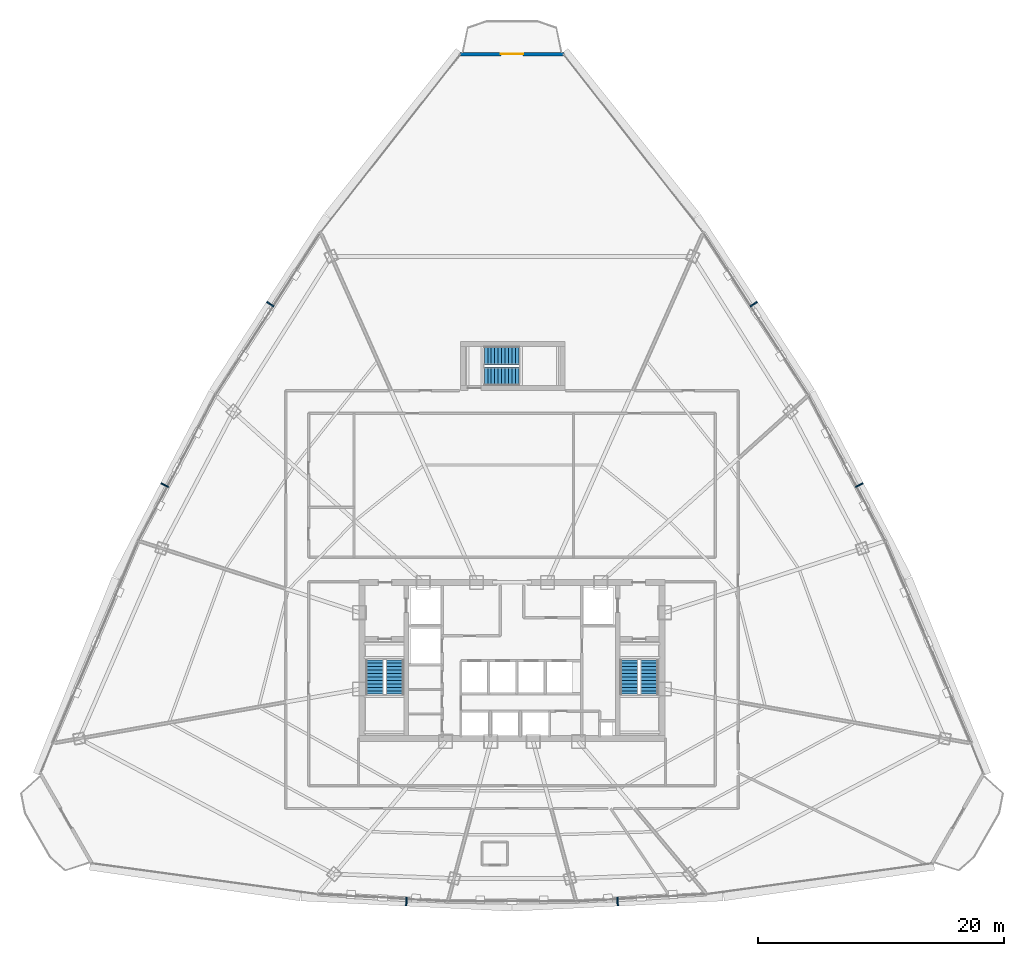
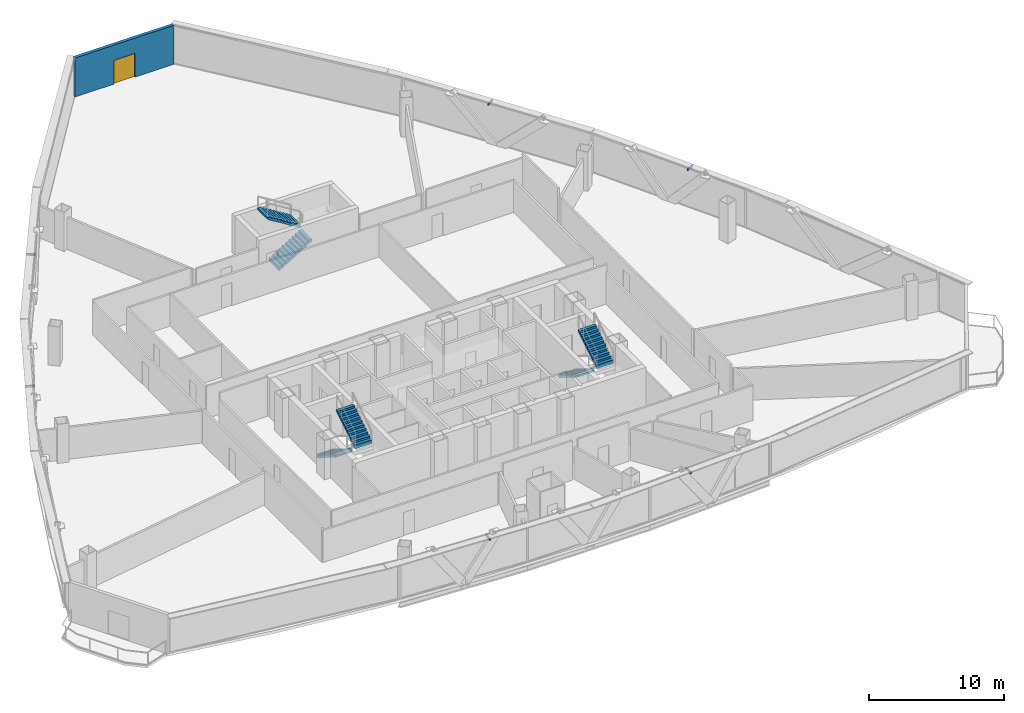
# One storey, part 33 of 37: 6 discrete accessories, 6 stair flights, 1 door, 1 wall, 1 opening, 3 elements without a shape of their own.
"""IFC4 building model written with IfcOpenShell, lengths in metres."""

from ifc_helpers import new_model, si_unit, direction, frame, frame_2d, origin, origin_with_axes, origin_2d, place, context, subcontext, project, spatial, polyline, rectangle, outline, extrude, source, transform, mapped, material, layer, layer_set, type_object, element, fill, aggregate, save


model = new_model("IFC4")

# Units and contexts
model_context = context("Model", 3, precision=1e-05, world=origin(), true_north=direction((0.0, 1.0)))
body_context = subcontext(model_context, "Body", "Model", "MODEL_VIEW")
ifc_project = project(units=[si_unit("LENGTHUNIT", "METRE"), si_unit("AREAUNIT", "SQUARE_METRE"), si_unit("VOLUMEUNIT", "CUBIC_METRE"), si_unit("PLANEANGLEUNIT", "RADIAN"), si_unit("MASSUNIT", "GRAM", prefix="KILO"), si_unit("THERMODYNAMICTEMPERATUREUNIT", "KELVIN"), si_unit("POWERUNIT", "WATT")], contexts=[model_context])

# Site, building, storey
site_placement = place(None, origin())
site = spatial("IfcSite", under=ifc_project, at=site_placement, CompositionType="ELEMENT")
building_placement = place(site_placement, origin())
building = spatial("IfcBuilding", under=site, at=building_placement, Name="Yunzhuo Pagoda Commons", CompositionType="ELEMENT")
storey_placement = place(building_placement, frame((0.0, 0.0, 199.9599609375)))
storey = spatial("IfcBuildingStorey", under=building, at=storey_placement, Name="L50", CompositionType="ELEMENT", Elevation=199.9599609375)

# Wall, opening, door
ifc_material_1 = material(Name="Precast concrete C40", Category="concrete")
ifc_layer = layer(ifc_material_1, 0.260009765625)
ifc_layer_set = layer_set([ifc_layer], Name="Precast concrete C40")
wall_type = type_object("IfcWallType", Name="W-BAL1 Corner Balcony Threshold Wall 260", PredefinedType="STANDARD", material=ifc_layer_set)
wall_placement = place(storey_placement, frame((52.25, 83.16748046875, 0.0), z_axis=(0.0, 0.0, 1.0), x_axis=(-1.0, 0.0, 0.0)))
wall = element("IfcWall", 1, at=wall_placement, inside=storey, type_object=wall_type, Name="L50 corner balcony wall V3", PredefinedType="STANDARD", context=body_context, shape_type="SweptSolid", body=[
    extrude(rectangle(XDim=8.5, YDim=0.260009765625, at=frame_2d((4.25, 0.0))), origin(), (0.0, 0.0, 1.0), 3.5400390625),
])
opening_placement = place(wall_placement, frame((3.35009765625, 0.0, 0.0)))
opening = element("IfcOpeningElement", 2, at=opening_placement, cuts=wall, Name="Opening D-BAL1", PredefinedType="OPENING", context=body_context, shape_type="SweptSolid", body=[
    extrude(rectangle(XDim=1.800048828125, YDim=2.14990234375, at=frame_2d((0.89990234375, 1.074951171875))), frame((0.0, 0.14013671875, 0.0), z_axis=(0.0, -1.0, 0.0), x_axis=(1.0, 0.0, 0.0)), (0.0, 0.0, 1.0), 0.280029296875),
])
ifc_material_2 = material(Name="Anodized aluminium frame and tempered glazed leaf", Category="aluminium")
door_type = type_object("IfcDoorType", Name="D-BAL1 Corner Balcony Sliding Glazed Door 1800x2150", OperationType="DOUBLE_DOOR_SLIDING", PredefinedType="DOOR", material=ifc_material_2)
shared_shape_1 = source(origin(), body_context, "Body", "SweptSolid", [
    extrude(rectangle(XDim=1.800048828125, YDim=2.14990234375, at=frame_2d((0.89990234375, 1.074951171875))), frame((0.0, 0.02490234375, 0.0), z_axis=(0.0, -1.0, 0.0), x_axis=(1.0, 0.0, 0.0)), (0.0, 0.0, 1.0), 0.050048828125),
])
door_placement = place(opening_placement, origin_with_axes())
door = element("IfcDoor", 3, at=door_placement, inside=storey, type_object=door_type, Name="L50 corner balcony sliding door V3", OperationType="DOUBLE_DOOR_SLIDING", OverallHeight=2.14990234375, OverallWidth=1.800048828125, PredefinedType="DOOR", context=body_context, shape_type="MappedRepresentation", body=[
    mapped(shared_shape_1, transform((0.0, 0.0, 0.0), scale=1.0)),
])
fill(opening, door)

# Stair, stair flights
ifc_material_3 = material(Name="Concrete C40", Category="concrete")
stair_type_1 = type_object("IfcStairType", Name="ST-C1 Core Smokeproof Stair ST1", PredefinedType="HALF_TURN_STAIR", material=ifc_material_3)
stair_1_placement = place(storey_placement, origin())
stair_1 = element("IfcStair", 4, at=stair_1_placement, inside=storey, type_object=stair_type_1, Name="L50 Core smokeproof stair ST1", PredefinedType="HALF_TURN_STAIR")
stair_flight_type_1 = type_object("IfcStairFlightType", Name="STF-C1 Core Stair Flight 1450", PredefinedType="STRAIGHT", material=ifc_material_3)
shared_shape_2 = source(origin(), body_context, "Body", "SweptSolid", [
    extrude(outline(polyline([(0.0, -0.14990234375), (0.0, 0.0), (0.0, 0.172607421875), (0.280029296875, 0.172607421875), (0.280029296875, 0.345458984375), (0.56005859375, 0.345458984375), (0.56005859375, 0.51806640625), (0.840087890625, 0.51806640625), (0.840087890625, 0.69091796875), (1.1201171875, 0.69091796875), (1.1201171875, 0.863525390625), (1.39990234375, 0.863525390625), (1.39990234375, 1.036376953125), (1.679931640625, 1.036376953125), (1.679931640625, 1.208984375), (1.9599609375, 1.208984375), (1.9599609375, 1.3818359375), (2.239990234375, 1.3818359375), (2.239990234375, 1.554443359375), (2.52001953125, 1.554443359375), (2.52001953125, 1.727294921875), (2.800048828125, 1.727294921875), (2.800048828125, 1.89990234375), (2.800048828125, 1.551025390625), (0.285400390625, 0.0), (0.050048828125, -0.14990234375), (0.0, -0.14990234375)])), frame((0.0, 0.72509765625, 0.0), z_axis=(0.0, -1.0, 0.0), x_axis=(1.0, 0.0, 0.0)), (0.0, 0.0, 1.0), 1.449951171875),
])
stair_flight_1_placement = place(storey_placement, frame((36.824951171875, 33.89990234375, 0.0), z_axis=(0.0, 0.0, 1.0), x_axis=(0.0, -1.0, 0.0)))
stair_flight_1 = element("IfcStairFlight", 5, at=stair_flight_1_placement, type_object=stair_flight_type_1, Name="ST1 flight 1", NumberOfRisers=11, NumberOfTreads=10, PredefinedType="STRAIGHT", RiserHeight=0.172727273, TreadLength=0.28, context=body_context, shape_type="MappedRepresentation", body=[
    mapped(shared_shape_2, transform((0.0, 0.0, 0.0), scale=1.0)),
])
stair_flight_2_placement = place(storey_placement, frame((38.47509765625, 31.10009765625, 1.900146484375), z_axis=(0.0, 0.0, 1.0), x_axis=(0.0, 1.0, 0.0)))
stair_flight_2 = element("IfcStairFlight", 6, at=stair_flight_2_placement, type_object=stair_flight_type_1, Name="ST1 flight 2", NumberOfRisers=11, NumberOfTreads=10, PredefinedType="STRAIGHT", RiserHeight=0.172727273, TreadLength=0.28, context=body_context, shape_type="MappedRepresentation", body=[
    mapped(shared_shape_2, transform((0.0, 0.0, 0.0), scale=1.0)),
])
aggregate(stair_1, [stair_flight_1, stair_flight_2])

stair_type_2 = type_object("IfcStairType", Name="ST-C2 Core Smokeproof Stair ST2", PredefinedType="HALF_TURN_STAIR", material=ifc_material_3)
stair_2_placement = place(storey_placement, origin())
stair_2 = element("IfcStair", 7, at=stair_2_placement, inside=storey, type_object=stair_type_2, Name="L50 Core smokeproof stair ST2", PredefinedType="HALF_TURN_STAIR")
stair_flight_type_2 = type_object("IfcStairFlightType", Name="STF-C2 Core Stair Flight 1460", PredefinedType="STRAIGHT", material=ifc_material_3)
stair_flight_3_placement = place(storey_placement, frame((57.52490234375, 33.89990234375, 0.0), z_axis=(0.0, 0.0, 1.0), x_axis=(0.0, -1.0, 0.0)))
stair_flight_3 = element("IfcStairFlight", 8, at=stair_flight_3_placement, type_object=stair_flight_type_2, Name="ST2 flight 1", NumberOfRisers=11, NumberOfTreads=10, PredefinedType="STRAIGHT", RiserHeight=0.172727273, TreadLength=0.28, context=body_context, shape_type="MappedRepresentation", body=[
    mapped(shared_shape_2, transform((0.0, 0.0, 0.0), scale=1.0)),
])
stair_flight_4_placement = place(storey_placement, frame((59.175048828125, 31.10009765625, 1.900146484375), z_axis=(0.0, 0.0, 1.0), x_axis=(0.0, 1.0, 0.0)))
stair_flight_4 = element("IfcStairFlight", 9, at=stair_flight_4_placement, type_object=stair_flight_type_2, Name="ST2 flight 2", NumberOfRisers=11, NumberOfTreads=10, PredefinedType="STRAIGHT", RiserHeight=0.172727273, TreadLength=0.28, context=body_context, shape_type="MappedRepresentation", body=[
    mapped(shared_shape_2, transform((0.0, 0.0, 0.0), scale=1.0)),
])
aggregate(stair_2, [stair_flight_3, stair_flight_4])

stair_type_3 = type_object("IfcStairType", Name="ST-C3 North Tower Smokeproof Stair ST3", PredefinedType="HALF_TURN_STAIR", material=ifc_material_3)
stair_3_placement = place(storey_placement, origin())
stair_3 = element("IfcStair", 10, at=stair_3_placement, inside=storey, type_object=stair_type_3, Name="L50 North tower smokeproof stair ST3", PredefinedType="HALF_TURN_STAIR")
stair_flight_type_3 = type_object("IfcStairFlightType", Name="STF-C3 North Stair Flight 1500", PredefinedType="STRAIGHT", material=ifc_material_3)
shared_shape_3 = source(origin(), body_context, "Body", "SweptSolid", [
    extrude(outline(polyline([(0.0, -0.14990234375), (0.0, 0.0), (0.0, 0.172607421875), (0.280029296875, 0.172607421875), (0.280029296875, 0.345458984375), (0.56005859375, 0.345458984375), (0.56005859375, 0.51806640625), (0.840087890625, 0.51806640625), (0.840087890625, 0.69091796875), (1.1201171875, 0.69091796875), (1.1201171875, 0.863525390625), (1.39990234375, 0.863525390625), (1.39990234375, 1.036376953125), (1.679931640625, 1.036376953125), (1.679931640625, 1.208984375), (1.9599609375, 1.208984375), (1.9599609375, 1.3818359375), (2.239990234375, 1.3818359375), (2.239990234375, 1.554443359375), (2.52001953125, 1.554443359375), (2.52001953125, 1.727294921875), (2.800048828125, 1.727294921875), (2.800048828125, 1.89990234375), (2.800048828125, 1.551025390625), (0.285400390625, 0.0), (0.050048828125, -0.14990234375), (0.0, -0.14990234375)])), frame((0.0, 0.75, 0.0), z_axis=(0.0, -1.0, 0.0), x_axis=(1.0, 0.0, 0.0)), (0.0, 0.0, 1.0), 1.5),
])
stair_flight_5_placement = place(storey_placement, frame((45.75, 56.949951171875, 0.0), z_axis=(0.0, 0.0, 1.0), x_axis=(1.0, 0.0, 0.0)))
stair_flight_5 = element("IfcStairFlight", 11, at=stair_flight_5_placement, type_object=stair_flight_type_3, Name="ST3 flight 1", NumberOfRisers=11, NumberOfTreads=10, PredefinedType="STRAIGHT", RiserHeight=0.172727273, TreadLength=0.28, context=body_context, shape_type="MappedRepresentation", body=[
    mapped(shared_shape_3, transform((0.0, 0.0, 0.0), scale=1.0)),
])
stair_flight_6_placement = place(storey_placement, frame((48.550048828125, 58.64990234375, 1.900146484375), z_axis=(0.0, 0.0, 1.0), x_axis=(-1.0, 0.0, 0.0)))
stair_flight_6 = element("IfcStairFlight", 12, at=stair_flight_6_placement, type_object=stair_flight_type_3, Name="ST3 flight 2", NumberOfRisers=11, NumberOfTreads=10, PredefinedType="STRAIGHT", RiserHeight=0.172727273, TreadLength=0.28, context=body_context, shape_type="MappedRepresentation", body=[
    mapped(shared_shape_3, transform((0.0, 0.0, 0.0), scale=1.0)),
])
aggregate(stair_3, [stair_flight_5, stair_flight_6])

# Discrete accessories
ifc_material_4 = material(Name="Anodized aluminium 6063-T6", Category="aluminium")
discrete_accessory_type = type_object("IfcDiscreteAccessoryType", Name="BK-SUN1 Sunshade Outrigger Bracket", PredefinedType="BRACKET", material=ifc_material_4)
shared_shape_4 = source(origin(), body_context, "Body", "SweptSolid", [
    extrude(rectangle(XDim=0.1201171875, YDim=0.679931640625, at=origin_2d()), origin(), (0.0, 0.0, 1.0), 0.179931640625),
])
for number, where, z_axis, x_axis, name in (
    (13, (39.408447265625, 14.227294921875, 3.330078125), (0.0, 0.0, 1.0), (0.998818043775, -0.04860571396, 0.0), "L50 sunshade outrigger bracket F1.2"),
    (14, (56.591552734375, 14.227294921875, 3.330078125), (0.0, 0.0, 1.0), (0.998818043775, 0.04860571396, 0.0), "L50 sunshade outrigger bracket F1.3"),
    (15, (76.256591796875, 48.109619140625, 3.330078125), (0.0, 0.0, 1.0), (-0.461206683033, 0.88729273384, 0.0), "L50 sunshade outrigger bracket F2.2"),
    (16, (67.6650390625, 62.827880859375, 3.330078125), (0.0, 0.0, 1.0), (-0.545838756973, 0.837890238269, 0.0), "L50 sunshade outrigger bracket F2.3"),
    (17, (28.3349609375, 62.827880859375, 3.330078125), (0.0, 0.0, 1.0), (-0.545838756973, -0.837890238269, 0.0), "L50 sunshade outrigger bracket F3.2"),
    (18, (19.743408203125, 48.109619140625, 3.330078125), (0.0, 0.0, 1.0), (-0.461206683033, -0.88729273384, 0.0), "L50 sunshade outrigger bracket F3.3"),
):
    element("IfcDiscreteAccessory", number, at=place(storey_placement, frame(where, z_axis=z_axis, x_axis=x_axis)), inside=storey, type_object=discrete_accessory_type, Name=name, PredefinedType="BRACKET", context=body_context, shape_type="MappedRepresentation", body=[
        mapped(shared_shape_4, transform((0.0, 0.0, 0.0), scale=1.0)),
    ])

save(model, "model.ifc")
